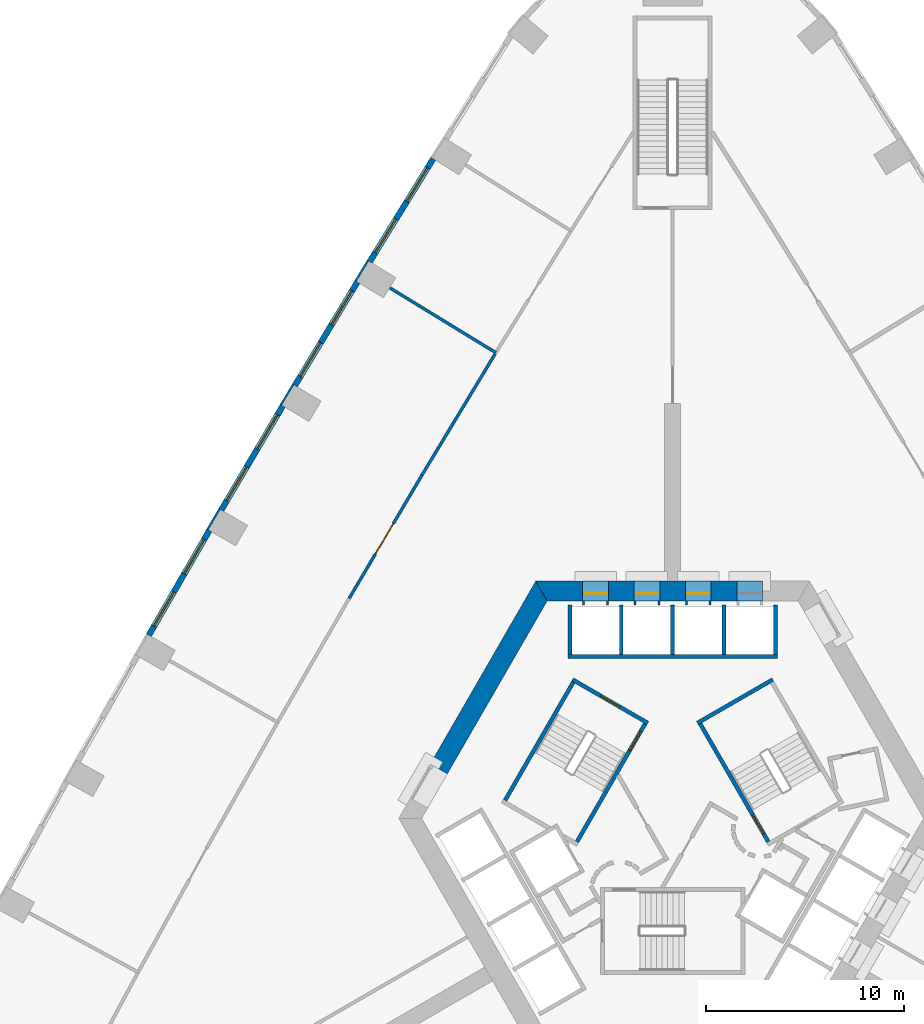
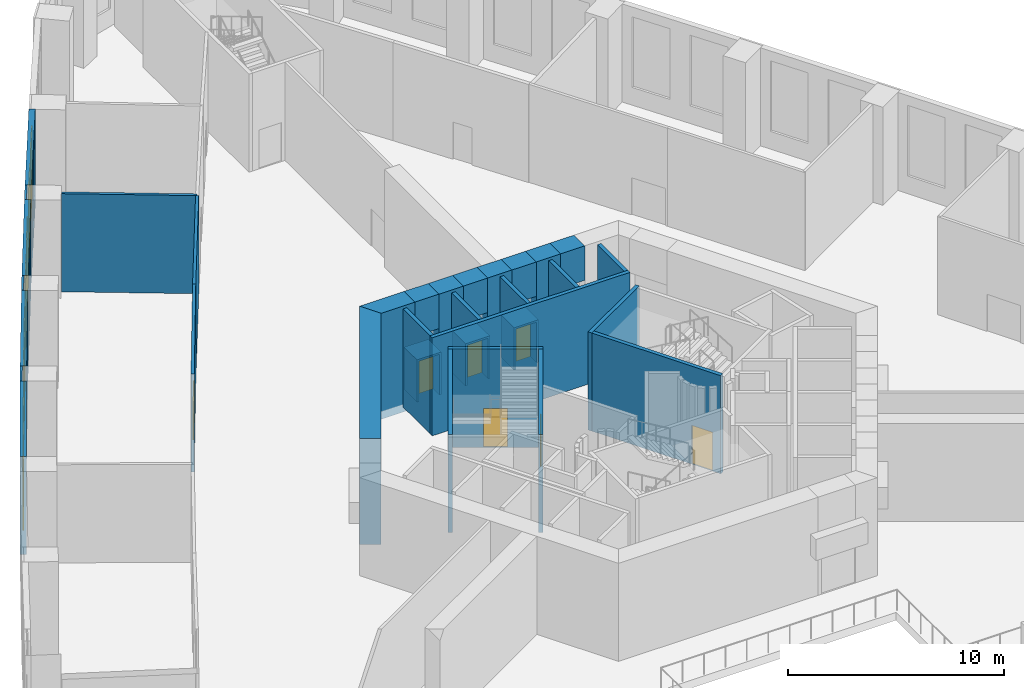
# One storey, part 5 of 15: 33 walls, 8 windows, 7 doors, 15 openings.
"""IFC4 building model written with IfcOpenShell, lengths in metres."""

from ifc_helpers import new_model, si_unit, direction, frame, frame_2d, origin, place, context, subcontext, project, spatial, polyline, rectangle, outline, extrude, material, layer, layer_set, type_object, element, fill, save


model = new_model("IFC4")

# Units and contexts
model_context = context("Model", 3, precision=1e-05, world=origin(), true_north=direction((0.0, 1.0)))
body_context = subcontext(model_context, "Body", "Model", "MODEL_VIEW")
ifc_project = project(units=[si_unit("LENGTHUNIT", "METRE"), si_unit("AREAUNIT", "SQUARE_METRE"), si_unit("VOLUMEUNIT", "CUBIC_METRE"), si_unit("PLANEANGLEUNIT", "RADIAN"), si_unit("MASSUNIT", "GRAM", prefix="KILO")], contexts=[model_context])

# Site, building, storey
site_placement = place(None, origin())
site = spatial("IfcSite", under=ifc_project, at=site_placement, CompositionType="ELEMENT")
building_placement = place(site_placement, origin())
building = spatial("IfcBuilding", under=site, at=building_placement, Name="Entoto Arch Interchange Tower", CompositionType="ELEMENT")
storey_placement = place(building_placement, frame((0.0, 0.0, 9.0)))
storey = spatial("IfcBuildingStorey", under=building, at=storey_placement, Name="L01", CompositionType="ELEMENT", Elevation=9.0)

# Walls
ifc_material_1 = material(Name="Concrete C60/75", Category="concrete")
ifc_layer_1 = layer(ifc_material_1, 1.0)
ifc_layer_set_1 = layer_set([ifc_layer_1], Name="Concrete C60/75")
wall_type_1 = type_object("IfcWallType", Name="Core wall 1000 C60/75", PredefinedType="SHEAR", material=ifc_layer_set_1)
wall_1_placement = place(storey_placement, frame((0.0, 0.0, -0.449951171875)))
element("IfcWall", 1, at=wall_1_placement, inside=storey, type_object=wall_type_1, Name="Core wall N L01", PredefinedType="SHEAR", context=body_context, shape_type="SweptSolid", body=[
    extrude(outline(polyline([(1.949951171875, 14.5), (1.949951171875, 13.5), (3.25, 13.5), (3.25, 14.5), (1.949951171875, 14.5)])), origin(), (0.0, 0.0, 1.0), 6.0),
])
wall_2_placement = place(storey_placement, frame((0.0, 0.0, -0.449951171875)))
element("IfcWall", 2, at=wall_2_placement, inside=storey, type_object=wall_type_1, Name="Core wall N L01", PredefinedType="SHEAR", context=body_context, shape_type="SweptSolid", body=[
    extrude(outline(polyline([(-0.64990234375, 14.5), (-0.64990234375, 13.5), (0.64990234375, 13.5), (0.64990234375, 14.5), (-0.64990234375, 14.5)])), origin(), (0.0, 0.0, 1.0), 6.0),
])
wall_3_placement = place(storey_placement, frame((0.0, 0.0, -0.449951171875)))
element("IfcWall", 3, at=wall_3_placement, inside=storey, type_object=wall_type_1, Name="Core wall N L01", PredefinedType="SHEAR", context=body_context, shape_type="SweptSolid", body=[
    extrude(outline(polyline([(-3.25, 14.5), (-3.25, 13.5), (-1.949951171875, 13.5), (-1.949951171875, 14.5), (-3.25, 14.5)])), origin(), (0.0, 0.0, 1.0), 6.0),
])
wall_4_placement = place(storey_placement, frame((0.0, 0.0, -0.449951171875)))
element("IfcWall", 4, at=wall_4_placement, inside=storey, type_object=wall_type_1, Name="Core wall N L01", PredefinedType="SHEAR", context=body_context, shape_type="SweptSolid", body=[
    extrude(outline(polyline([(-4.550048828125, 13.5), (-4.550048828125, 14.5), (-6.927978515625, 14.5), (-6.35107421875, 13.5), (-4.550048828125, 13.5)])), origin(), (0.0, 0.0, 1.0), 6.0),
])
wall_5_placement = place(storey_placement, frame((0.0, 0.0, 3.60009765625)))
element("IfcWall", 5, at=wall_5_placement, inside=storey, type_object=wall_type_1, Name="Core wall lintel N L01", PredefinedType="SHEAR", context=body_context, shape_type="SweptSolid", body=[
    extrude(outline(polyline([(3.25, 14.5), (3.25, 13.5), (4.550048828125, 13.5), (4.550048828125, 14.5), (3.25, 14.5)])), origin(), (0.0, 0.0, 1.0), 1.949951171875),
])
wall_6_placement = place(storey_placement, frame((0.0, 0.0, 3.60009765625)))
element("IfcWall", 6, at=wall_6_placement, inside=storey, type_object=wall_type_1, Name="Core wall lintel N L01", PredefinedType="SHEAR", context=body_context, shape_type="SweptSolid", body=[
    extrude(outline(polyline([(0.64990234375, 14.5), (0.64990234375, 13.5), (1.949951171875, 13.5), (1.949951171875, 14.5), (0.64990234375, 14.5)])), origin(), (0.0, 0.0, 1.0), 1.949951171875),
])
wall_7_placement = place(storey_placement, frame((0.0, 0.0, 3.60009765625)))
element("IfcWall", 7, at=wall_7_placement, inside=storey, type_object=wall_type_1, Name="Core wall lintel N L01", PredefinedType="SHEAR", context=body_context, shape_type="SweptSolid", body=[
    extrude(outline(polyline([(-1.949951171875, 14.5), (-1.949951171875, 13.5), (-0.64990234375, 13.5), (-0.64990234375, 14.5), (-1.949951171875, 14.5)])), origin(), (0.0, 0.0, 1.0), 1.949951171875),
])
wall_8_placement = place(storey_placement, frame((0.0, 0.0, 3.60009765625)))
element("IfcWall", 8, at=wall_8_placement, inside=storey, type_object=wall_type_1, Name="Core wall lintel N L01", PredefinedType="SHEAR", context=body_context, shape_type="SweptSolid", body=[
    extrude(outline(polyline([(-4.550048828125, 14.5), (-4.550048828125, 13.5), (-3.25, 13.5), (-3.25, 14.5), (-4.550048828125, 14.5)])), origin(), (0.0, 0.0, 1.0), 1.949951171875),
])
wall_9_placement = place(storey_placement, frame((0.0, 0.0, -0.449951171875)))
element("IfcWall", 9, at=wall_9_placement, inside=storey, type_object=wall_type_1, Name="Core wall NW L01", PredefinedType="SHEAR", context=body_context, shape_type="SweptSolid", body=[
    extrude(outline(polyline([(-12.26708984375, 5.251953125), (-11.402099609375, 4.751953125), (-6.35107421875, 13.5), (-6.927978515625, 14.5), (-12.26708984375, 5.251953125)])), origin(), (0.0, 0.0, 1.0), 6.0),
])

# Wall, opening, door
ifc_material_2 = material(Name="Concrete C40/50", Category="concrete")
ifc_layer_2 = layer(ifc_material_2, 1.199951171875)
ifc_layer_set_2 = layer_set([ifc_layer_2], Name="Concrete C40/50")
wall_type_2 = type_object("IfcWallType", Name="LIFT LANDING INFILL WALL", PredefinedType="STANDARD", material=ifc_layer_set_2)
wall_10_placement = place(storey_placement, frame((1.949951171875, 13.89990234375, 0.0), z_axis=(0.0, 0.0, 1.0), x_axis=(-1.0, 0.0, 0.0)))
wall_10 = element("IfcWall", 10, at=wall_10_placement, inside=storey, type_object=wall_type_2, Name="Lift landing infill wall LR2 L01", PredefinedType="STANDARD", context=body_context, shape_type="SweptSolid", body=[
    extrude(rectangle(XDim=1.300048828125, YDim=1.199951171875, at=frame_2d((0.64990234375, 0.0))), origin(), (0.0, 0.0, 1.0), 2.39990234375),
])
opening_1_placement = place(wall_10_placement, frame((0.10009765625, 0.0, 0.0)))
opening_1 = element("IfcOpeningElement", 11, at=opening_1_placement, cuts=wall_10, Name="Opening LD-LR2-L01", PredefinedType="OPENING", context=body_context, shape_type="SweptSolid", body=[
    extrude(rectangle(XDim=1.10009765625, YDim=2.300048828125, at=frame_2d((0.550048828125, 1.14990234375))), frame((0.0, 0.60986328125, 0.0), z_axis=(0.0, -1.0, 0.0), x_axis=(1.0, 0.0, 0.0)), (0.0, 0.0, 1.0), 1.219970703125),
])
ifc_material_3 = material(Name="Stainless steel 1.4301 panels", Category="steel")
door_type_1 = type_object("IfcDoorType", Name="LIFT LANDING DOOR LD2 1100x2300", OperationType="SLIDING_TO_LEFT", PredefinedType="DOOR", material=ifc_material_3)
door_1_placement = place(opening_1_placement, origin())
door_1 = element("IfcDoor", 12, at=door_1_placement, inside=storey, type_object=door_type_1, Name="Lift landing door LR2 L01", OperationType="SLIDING_TO_LEFT", OverallHeight=2.300048828125, OverallWidth=1.10009765625, PredefinedType="DOOR", context=body_context, shape_type="SweptSolid", body=[
    extrude(rectangle(XDim=1.10009765625, YDim=2.300048828125, at=frame_2d((0.550048828125, 1.14990234375))), frame((0.0, 0.02490234375, 0.0), z_axis=(0.0, -1.0, 0.0), x_axis=(1.0, 0.0, 0.0)), (0.0, 0.0, 1.0), 0.050048828125),
])
fill(opening_1, door_1)

wall_11_placement = place(storey_placement, frame((-0.64990234375, 13.89990234375, 0.0), z_axis=(0.0, 0.0, 1.0), x_axis=(-1.0, 0.0, 0.0)))
wall_11 = element("IfcWall", 13, at=wall_11_placement, inside=storey, type_object=wall_type_2, Name="Lift landing infill wall LR3 L01", PredefinedType="STANDARD", context=body_context, shape_type="SweptSolid", body=[
    extrude(rectangle(XDim=1.300048828125, YDim=1.199951171875, at=frame_2d((0.64990234375, 0.0))), origin(), (0.0, 0.0, 1.0), 2.39990234375),
])
opening_2_placement = place(wall_11_placement, frame((0.10009765625, 0.0, 0.0)))
opening_2 = element("IfcOpeningElement", 14, at=opening_2_placement, cuts=wall_11, Name="Opening LD-LR3-L01", PredefinedType="OPENING", context=body_context, shape_type="SweptSolid", body=[
    extrude(rectangle(XDim=1.10009765625, YDim=2.300048828125, at=frame_2d((0.550048828125, 1.14990234375))), frame((0.0, 0.60986328125, 0.0), z_axis=(0.0, -1.0, 0.0), x_axis=(1.0, 0.0, 0.0)), (0.0, 0.0, 1.0), 1.219970703125),
])
door_2_placement = place(opening_2_placement, origin())
door_2 = element("IfcDoor", 15, at=door_2_placement, inside=storey, type_object=door_type_1, Name="Lift landing door LR3 L01", OperationType="SLIDING_TO_LEFT", OverallHeight=2.300048828125, OverallWidth=1.10009765625, PredefinedType="DOOR", context=body_context, shape_type="SweptSolid", body=[
    extrude(rectangle(XDim=1.10009765625, YDim=2.300048828125, at=frame_2d((0.550048828125, 1.14990234375))), frame((0.0, 0.02490234375, 0.0), z_axis=(0.0, -1.0, 0.0), x_axis=(1.0, 0.0, 0.0)), (0.0, 0.0, 1.0), 0.050048828125),
])
fill(opening_2, door_2)

wall_12_placement = place(storey_placement, frame((-3.25, 13.89990234375, 0.0), z_axis=(0.0, 0.0, 1.0), x_axis=(-1.0, 0.0, 0.0)))
wall_12 = element("IfcWall", 16, at=wall_12_placement, inside=storey, type_object=wall_type_2, Name="Lift landing infill wall LR4 L01", PredefinedType="STANDARD", context=body_context, shape_type="SweptSolid", body=[
    extrude(rectangle(XDim=1.300048828125, YDim=1.199951171875, at=frame_2d((0.64990234375, 0.0))), origin(), (0.0, 0.0, 1.0), 2.39990234375),
])
opening_3_placement = place(wall_12_placement, frame((0.10009765625, 0.0, 0.0)))
opening_3 = element("IfcOpeningElement", 17, at=opening_3_placement, cuts=wall_12, Name="Opening LD-LR4-L01", PredefinedType="OPENING", context=body_context, shape_type="SweptSolid", body=[
    extrude(rectangle(XDim=1.10009765625, YDim=2.300048828125, at=frame_2d((0.550048828125, 1.14990234375))), frame((0.0, 0.60986328125, 0.0), z_axis=(0.0, -1.0, 0.0), x_axis=(1.0, 0.0, 0.0)), (0.0, 0.0, 1.0), 1.219970703125),
])
door_3_placement = place(opening_3_placement, origin())
door_3 = element("IfcDoor", 18, at=door_3_placement, inside=storey, type_object=door_type_1, Name="Lift landing door LR4 L01", OperationType="SLIDING_TO_LEFT", OverallHeight=2.300048828125, OverallWidth=1.10009765625, PredefinedType="DOOR", context=body_context, shape_type="SweptSolid", body=[
    extrude(rectangle(XDim=1.10009765625, YDim=2.300048828125, at=frame_2d((0.550048828125, 1.14990234375))), frame((0.0, 0.02490234375, 0.0), z_axis=(0.0, -1.0, 0.0), x_axis=(1.0, 0.0, 0.0)), (0.0, 0.0, 1.0), 0.050048828125),
])
fill(opening_3, door_3)

# Walls
ifc_layer_3 = layer(ifc_material_2, 0.199951171875)
ifc_layer_set_3 = layer_set([ifc_layer_3], Name="Concrete C40/50")
wall_type_3 = type_object("IfcWallType", Name="LIFT SHAFT WALL 200", PredefinedType="STANDARD", material=ifc_layer_set_3)
wall_13_placement = place(storey_placement, frame((5.300048828125, 10.699951171875, 0.0), z_axis=(0.0, 0.0, 1.0), x_axis=(-1.0, 0.0, 0.0)))
element("IfcWall", 19, at=wall_13_placement, inside=storey, type_object=wall_type_3, Name="Shaft wall N3 front", PredefinedType="STANDARD", context=body_context, shape_type="SweptSolid", body=[
    extrude(rectangle(XDim=10.60009765625, YDim=0.199951171875, at=frame_2d((5.300048828125, 0.0))), origin(), (0.0, 0.0, 1.0), 5.550048828125),
])
for number, where, z_axis, x_axis, name in (
    (20, (5.199951171875, 10.800048828125, 0.0), (0.0, 0.0, 1.0), (0.0, 1.0, 0.0), "Shaft wall N3 cross 1"),
    (21, (2.60009765625, 10.800048828125, 0.0), (0.0, 0.0, 1.0), (0.0, 1.0, 0.0), "Shaft wall N3 cross 2"),
    (22, (0.0, 10.800048828125, 0.0), (0.0, 0.0, 1.0), (0.0, 1.0, 0.0), "Shaft wall N3 cross 3"),
    (23, (-2.60009765625, 10.800048828125, 0.0), (0.0, 0.0, 1.0), (0.0, 1.0, 0.0), "Shaft wall N3 cross 4"),
    (24, (-5.199951171875, 10.800048828125, 0.0), (0.0, 0.0, 1.0), (0.0, 1.0, 0.0), "Shaft wall N3 cross 5"),
):
    element("IfcWall", number, at=place(storey_placement, frame(where, z_axis=z_axis, x_axis=x_axis)), inside=storey, type_object=wall_type_3, Name=name, PredefinedType="STANDARD", context=body_context, shape_type="SweptSolid", body=[
        extrude(rectangle(XDim=2.5, YDim=0.199951171875, at=frame_2d((1.25, 0.0))), origin(), (0.0, 0.0, 1.0), 5.550048828125),
    ])
ifc_material_4 = material(Name="Gypsum board partition on steel studs", Category="steel")
ifc_layer_4 = layer(ifc_material_4, 0.14990234375)
ifc_layer_set_4 = layer_set([ifc_layer_4], Name="Gypsum board partition on steel studs")
wall_type_4 = type_object("IfcWallType", Name="PARTITION 150", PredefinedType="PARTITIONING", material=ifc_layer_set_4)
wall_14_placement = place(storey_placement, frame((-8.947021484375, 26.06494140625, 0.0), z_axis=(0.0, 0.0, 1.0), x_axis=(-0.853151116909, 0.521663849348, 0.0)))
element("IfcWall", 25, at=wall_14_placement, inside=storey, type_object=wall_type_4, Name="wall:L01:p055", PredefinedType="PARTITIONING", context=body_context, shape_type="SweptSolid", body=[
    extrude(rectangle(XDim=6.280029296875, YDim=0.14990234375, at=frame_2d((3.14013671875, 0.0))), origin(), (0.0, 0.0, 1.0), 5.550048828125),
])
wall_15_placement = place(storey_placement, frame((-8.98095703125, 26.008056640625, 0.0), z_axis=(0.0, 0.0, 1.0), x_axis=(-0.516682614934, -0.856177011736, 0.0)))
element("IfcWall", 26, at=wall_15_placement, inside=storey, type_object=wall_type_4, Name="wall:L01:p058", PredefinedType="PARTITIONING", context=body_context, shape_type="SweptSolid", body=[
    extrude(rectangle(XDim=7.1689453125, YDim=0.14990234375, at=frame_2d((3.58447265625, 0.0))), origin(), (0.0, 0.0, 1.0), 5.550048828125),
])

# Wall, opening, door
wall_16_placement = place(storey_placement, frame((-12.68505859375, 19.8701171875, 0.0), z_axis=(0.0, 0.0, 1.0), x_axis=(-0.508337575782, -0.861157888571, 0.0)))
wall_16 = element("IfcWall", 27, at=wall_16_placement, inside=storey, type_object=wall_type_4, Name="wall:L01:p059", PredefinedType="PARTITIONING", context=body_context, shape_type="SweptSolid", body=[
    extrude(rectangle(XDim=7.244873046875, YDim=0.14990234375, at=frame_2d((3.62255859375, 0.0))), origin(), (0.0, 0.0, 1.0), 5.550048828125),
])
opening_4_placement = place(wall_16_placement, frame((2.844970703125, 0.0, 0.0)))
opening_4 = element("IfcOpeningElement", 28, at=opening_4_placement, cuts=wall_16, Name="Opening L01-D12", PredefinedType="OPENING", context=body_context, shape_type="SweptSolid", body=[
    extrude(rectangle(XDim=1.800048828125, YDim=2.10009765625, at=frame_2d((0.89990234375, 1.050048828125))), frame((0.0, 0.0849609375, 0.0), z_axis=(0.0, -1.0, 0.0), x_axis=(1.0, 0.0, 0.0)), (0.0, 0.0, 1.0), 0.169921875),
])
ifc_material_5 = material(Name="Timber door leaf in Steel S235 frame", Category="steel")
door_type_2 = type_object("IfcDoorType", Name="DOOR DD-18 1800x2100", OperationType="DOUBLE_DOOR_SINGLE_SWING", PredefinedType="DOOR", material=ifc_material_5)
door_4_placement = place(opening_4_placement, origin())
door_4 = element("IfcDoor", 29, at=door_4_placement, inside=storey, type_object=door_type_2, Name="door:L01:12", OperationType="DOUBLE_DOOR_SINGLE_SWING", OverallHeight=2.10009765625, OverallWidth=1.800048828125, PredefinedType="DOOR", context=body_context, shape_type="SweptSolid", body=[
    extrude(rectangle(XDim=1.800048828125, YDim=2.10009765625, at=frame_2d((0.89990234375, 1.050048828125))), frame((0.0, 0.02490234375, 0.0), z_axis=(0.0, -1.0, 0.0), x_axis=(1.0, 0.0, 0.0)), (0.0, 0.0, 1.0), 0.050048828125),
])
fill(opening_4, door_4)

# Wall
ifc_layer_5 = layer(ifc_material_2, 0.199951171875)
ifc_layer_set_5 = layer_set([ifc_layer_5], Name="Concrete C40/50")
wall_type_5 = type_object("IfcWallType", Name="STAIR ENCLOSURE WALL 200", PredefinedType="STANDARD", material=ifc_layer_set_5)
wall_17_placement = place(storey_placement, frame((1.256103515625, 7.323974609375, 0.0), z_axis=(0.0, 0.0, 1.0), x_axis=(0.866046073146, 0.499964197906, 0.0)))
element("IfcWall", 30, at=wall_17_placement, inside=storey, type_object=wall_type_5, Name="Stair wall ST-NE far", PredefinedType="STANDARD", context=body_context, shape_type="SweptSolid", body=[
    extrude(rectangle(XDim=4.400146484375, YDim=0.199951171875, at=frame_2d((2.2001953125, 0.0))), origin(), (0.0, 0.0, 1.0), 5.550048828125),
])

# Wall, opening, door
wall_18_placement = place(storey_placement, frame((4.843017578125, 1.31201171875, 0.0), z_axis=(0.0, 0.0, 1.0), x_axis=(-0.499963383562, 0.866046543262, 0.0)))
wall_18 = element("IfcWall", 31, at=wall_18_placement, inside=storey, type_object=wall_type_5, Name="Stair wall ST-NE hall", PredefinedType="STANDARD", context=body_context, shape_type="SweptSolid", body=[
    extrude(rectangle(XDim=6.900390625, YDim=0.199951171875, at=frame_2d((3.4501953125, 0.0))), origin(), (0.0, 0.0, 1.0), 5.550048828125),
])
opening_5_placement = place(wall_18_placement, frame((0.449951171875, 0.0, 0.0)))
opening_5 = element("IfcOpeningElement", 32, at=opening_5_placement, cuts=wall_18, Name="Opening SD-ST-NE-L01", PredefinedType="OPENING", context=body_context, shape_type="SweptSolid", body=[
    extrude(rectangle(XDim=1.10009765625, YDim=2.199951171875, at=frame_2d((0.550048828125, 1.10009765625))), frame((0.0, 0.10986328125, 0.0), z_axis=(0.0, -1.0, 0.0), x_axis=(1.0, 0.0, 0.0)), (0.0, 0.0, 1.0), 0.219970703125),
])
ifc_material_6 = material(Name="Steel S235", Category="steel")
door_type_3 = type_object("IfcDoorType", Name="STAIR DOOR SD1 1100x2200", OperationType="SINGLE_SWING_LEFT", PredefinedType="DOOR", material=ifc_material_6)
door_5_placement = place(opening_5_placement, origin())
door_5 = element("IfcDoor", 33, at=door_5_placement, inside=storey, type_object=door_type_3, Name="Stair door ST-NE L01", OperationType="SINGLE_SWING_LEFT", OverallHeight=2.199951171875, OverallWidth=1.10009765625, PredefinedType="DOOR", context=body_context, shape_type="SweptSolid", body=[
    extrude(rectangle(XDim=1.10009765625, YDim=2.199951171875, at=frame_2d((0.550048828125, 1.10009765625))), frame((0.0, 0.02490234375, 0.0), z_axis=(0.0, -1.0, 0.0), x_axis=(1.0, 0.0, 0.0)), (0.0, 0.0, 1.0), 0.050048828125),
])
fill(opening_5, door_5)

wall_19_placement = place(storey_placement, frame((-1.256103515625, 7.323974609375, 0.0), z_axis=(0.0, 0.0, 1.0), x_axis=(-0.866046073146, 0.499964197906, 0.0)))
wall_19 = element("IfcWall", 34, at=wall_19_placement, inside=storey, type_object=wall_type_5, Name="Stair wall ST-NW near", PredefinedType="STANDARD", context=body_context, shape_type="SweptSolid", body=[
    extrude(rectangle(XDim=4.400146484375, YDim=0.199951171875, at=frame_2d((2.2001953125, 0.0))), origin(), (0.0, 0.0, 1.0), 5.550048828125),
])
opening_6_placement = place(wall_19_placement, frame((1.64990234375, 0.0, 0.0)))
opening_6 = element("IfcOpeningElement", 35, at=opening_6_placement, cuts=wall_19, Name="Opening SD-ST-NW-L01-E", PredefinedType="OPENING", context=body_context, shape_type="SweptSolid", body=[
    extrude(rectangle(XDim=1.10009765625, YDim=2.199951171875, at=frame_2d((0.550048828125, 1.10009765625))), frame((0.0, 0.10986328125, 0.0), z_axis=(0.0, -1.0, 0.0), x_axis=(1.0, 0.0, 0.0)), (0.0, 0.0, 1.0), 0.219970703125),
])
door_6_placement = place(opening_6_placement, origin())
door_6 = element("IfcDoor", 36, at=door_6_placement, inside=storey, type_object=door_type_3, Name="Stair door ST-NW L01 end", OperationType="SINGLE_SWING_LEFT", OverallHeight=2.199951171875, OverallWidth=1.10009765625, PredefinedType="DOOR", context=body_context, shape_type="SweptSolid", body=[
    extrude(rectangle(XDim=1.10009765625, YDim=2.199951171875, at=frame_2d((0.550048828125, 1.10009765625))), frame((0.0, 0.02490234375, 0.0), z_axis=(0.0, -1.0, 0.0), x_axis=(1.0, 0.0, 0.0)), (0.0, 0.0, 1.0), 0.050048828125),
])
fill(opening_6, door_6)

wall_20_placement = place(storey_placement, frame((-1.39306640625, 7.2880859375, 0.0), z_axis=(0.0, 0.0, 1.0), x_axis=(-0.499963383562, -0.866046543262, 0.0)))
wall_20 = element("IfcWall", 37, at=wall_20_placement, inside=storey, type_object=wall_type_5, Name="Stair wall ST-NW hall", PredefinedType="STANDARD", context=body_context, shape_type="SweptSolid", body=[
    extrude(rectangle(XDim=6.900390625, YDim=0.199951171875, at=frame_2d((3.4501953125, 0.0))), origin(), (0.0, 0.0, 1.0), 5.550048828125),
])
opening_7_placement = place(wall_20_placement, frame((0.449951171875, 0.0, 0.0)))
opening_7 = element("IfcOpeningElement", 38, at=opening_7_placement, cuts=wall_20, Name="Opening SD-ST-NW-L01", PredefinedType="OPENING", context=body_context, shape_type="SweptSolid", body=[
    extrude(rectangle(XDim=1.10009765625, YDim=2.199951171875, at=frame_2d((0.550048828125, 1.10009765625))), frame((0.0, 0.10986328125, 0.0), z_axis=(0.0, -1.0, 0.0), x_axis=(1.0, 0.0, 0.0)), (0.0, 0.0, 1.0), 0.219970703125),
])
door_7_placement = place(opening_7_placement, origin())
door_7 = element("IfcDoor", 39, at=door_7_placement, inside=storey, type_object=door_type_3, Name="Stair door ST-NW L01", OperationType="SINGLE_SWING_LEFT", OverallHeight=2.199951171875, OverallWidth=1.10009765625, PredefinedType="DOOR", context=body_context, shape_type="SweptSolid", body=[
    extrude(rectangle(XDim=1.10009765625, YDim=2.199951171875, at=frame_2d((0.550048828125, 1.10009765625))), frame((0.0, 0.02490234375, 0.0), z_axis=(0.0, -1.0, 0.0), x_axis=(1.0, 0.0, 0.0)), (0.0, 0.0, 1.0), 0.050048828125),
])
fill(opening_7, door_7)

# Wall
wall_21_placement = place(storey_placement, frame((-5.030029296875, 9.387939453125, 0.0), z_axis=(0.0, 0.0, 1.0), x_axis=(-0.499978703459, -0.866037698999, 0.0)))
element("IfcWall", 40, at=wall_21_placement, inside=storey, type_object=wall_type_5, Name="Stair wall ST-NW back", PredefinedType="STANDARD", context=body_context, shape_type="SweptSolid", body=[
    extrude(rectangle(XDim=6.900146484375, YDim=0.199951171875, at=frame_2d((3.4501953125, 0.0))), origin(), (0.0, 0.0, 1.0), 5.550048828125),
])

# Wall, openings, windows
ifc_material_7 = material(Name="Welded tuff (ignimbrite) cladding, warm buff", Category="masonry")
ifc_layer_6 = layer(ifc_material_7, 0.300048828125)
ifc_layer_set_6 = layer_set([ifc_layer_6], Name="Welded tuff (ignimbrite) cladding, warm buff")
wall_type_6 = type_object("IfcWallType", Name="STONE INFILL WALL 300", PredefinedType="STANDARD", material=ifc_layer_set_6)
wall_22_placement = place(storey_placement, frame((-12.116943359375, 35.881103515625, 0.0), z_axis=(0.0, 0.0, 1.0), x_axis=(-0.524953701886, -0.85113078365, 0.0)))
wall_22 = element("IfcWall", 41, at=wall_22_placement, inside=storey, type_object=wall_type_6, Name="Facade wall NW-02 L01", PredefinedType="STANDARD", context=body_context, shape_type="SweptSolid", body=[
    extrude(rectangle(XDim=6.12255859375, YDim=0.300048828125, at=frame_2d((3.061279296875, 0.0))), origin(), (0.0, 0.0, 1.0), 5.550048828125),
])
opening_8_placement = place(wall_22_placement, frame((0.531005859375, 0.0, 1.0)))
opening_8 = element("IfcOpeningElement", 42, at=opening_8_placement, cuts=wall_22, Name="Opening WP-F", PredefinedType="OPENING", context=body_context, shape_type="SweptSolid", body=[
    extrude(rectangle(XDim=2.0, YDim=4.0, at=frame_2d((1.0, 2.0))), frame((0.0, 0.16015625, 0.0), z_axis=(0.0, -1.0, 0.0), x_axis=(1.0, 0.0, 0.0)), (0.0, 0.0, 1.0), 0.320068359375),
])
opening_9_placement = place(wall_22_placement, frame((3.592041015625, 0.0, 1.0)))
opening_9 = element("IfcOpeningElement", 43, at=opening_9_placement, cuts=wall_22, Name="Opening WP-F", PredefinedType="OPENING", context=body_context, shape_type="SweptSolid", body=[
    extrude(rectangle(XDim=2.0, YDim=4.0, at=frame_2d((1.0, 2.0))), frame((0.0, 0.16015625, 0.0), z_axis=(0.0, -1.0, 0.0), x_axis=(1.0, 0.0, 0.0)), (0.0, 0.0, 1.0), 0.320068359375),
])
ifc_material_8 = material(Name="Clear glass, low-e double glazed", Category="glass")
window_type = type_object("IfcWindowType", Name="WINDOW WP-F 2000x4000", PartitioningType="DOUBLE_PANEL_VERTICAL", PredefinedType="WINDOW", material=ifc_material_8)
window_1_placement = place(opening_8_placement, origin())
window_1 = element("IfcWindow", 44, at=window_1_placement, inside=storey, type_object=window_type, Name="Window WP-F NW-02 L01", OverallHeight=4.0, OverallWidth=2.0, PartitioningType="SINGLE_PANEL", PredefinedType="WINDOW", context=body_context, shape_type="SweptSolid", body=[
    extrude(rectangle(XDim=2.0, YDim=4.0, at=frame_2d((1.0, 2.0))), frame((0.0, 0.030029296875, 0.0), z_axis=(0.0, -1.0, 0.0), x_axis=(1.0, 0.0, 0.0)), (0.0, 0.0, 1.0), 0.06005859375),
])
fill(opening_8, window_1)
window_2_placement = place(opening_9_placement, origin())
window_2 = element("IfcWindow", 45, at=window_2_placement, inside=storey, type_object=window_type, Name="Window WP-F NW-02 L01", OverallHeight=4.0, OverallWidth=2.0, PartitioningType="SINGLE_PANEL", PredefinedType="WINDOW", context=body_context, shape_type="SweptSolid", body=[
    extrude(rectangle(XDim=2.0, YDim=4.0, at=frame_2d((1.0, 2.0))), frame((0.0, 0.030029296875, 0.0), z_axis=(0.0, -1.0, 0.0), x_axis=(1.0, 0.0, 0.0)), (0.0, 0.0, 1.0), 0.06005859375),
])
fill(opening_9, window_2)

wall_23_placement = place(storey_placement, frame((-15.9541015625, 29.64697265625, 0.0), z_axis=(0.0, 0.0, 1.0), x_axis=(-0.516687651362, -0.85617397235, 0.0)))
wall_23 = element("IfcWall", 46, at=wall_23_placement, inside=storey, type_object=wall_type_6, Name="Facade wall NW-03 L01", PredefinedType="STANDARD", context=body_context, shape_type="SweptSolid", body=[
    extrude(rectangle(XDim=6.121337890625, YDim=0.300048828125, at=frame_2d((3.060546875, 0.0))), origin(), (0.0, 0.0, 1.0), 5.550048828125),
])
opening_10_placement = place(wall_23_placement, frame((0.530029296875, 0.0, 1.0)))
opening_10 = element("IfcOpeningElement", 47, at=opening_10_placement, cuts=wall_23, Name="Opening WP-F", PredefinedType="OPENING", context=body_context, shape_type="SweptSolid", body=[
    extrude(rectangle(XDim=2.0, YDim=4.0, at=frame_2d((1.0, 2.0))), frame((0.0, 0.16015625, 0.0), z_axis=(0.0, -1.0, 0.0), x_axis=(1.0, 0.0, 0.0)), (0.0, 0.0, 1.0), 0.320068359375),
])
opening_11_placement = place(wall_23_placement, frame((3.591064453125, 0.0, 1.0)))
opening_11 = element("IfcOpeningElement", 48, at=opening_11_placement, cuts=wall_23, Name="Opening WP-F", PredefinedType="OPENING", context=body_context, shape_type="SweptSolid", body=[
    extrude(rectangle(XDim=2.0, YDim=4.0, at=frame_2d((1.0, 2.0))), frame((0.0, 0.16015625, 0.0), z_axis=(0.0, -1.0, 0.0), x_axis=(1.0, 0.0, 0.0)), (0.0, 0.0, 1.0), 0.320068359375),
])
window_3_placement = place(opening_10_placement, origin())
window_3 = element("IfcWindow", 49, at=window_3_placement, inside=storey, type_object=window_type, Name="Window WP-F NW-03 L01", OverallHeight=4.0, OverallWidth=2.0, PartitioningType="SINGLE_PANEL", PredefinedType="WINDOW", context=body_context, shape_type="SweptSolid", body=[
    extrude(rectangle(XDim=2.0, YDim=4.0, at=frame_2d((1.0, 2.0))), frame((0.0, 0.030029296875, 0.0), z_axis=(0.0, -1.0, 0.0), x_axis=(1.0, 0.0, 0.0)), (0.0, 0.0, 1.0), 0.06005859375),
])
fill(opening_10, window_3)
window_4_placement = place(opening_11_placement, origin())
window_4 = element("IfcWindow", 50, at=window_4_placement, inside=storey, type_object=window_type, Name="Window WP-F NW-03 L01", OverallHeight=4.0, OverallWidth=2.0, PartitioningType="SINGLE_PANEL", PredefinedType="WINDOW", context=body_context, shape_type="SweptSolid", body=[
    extrude(rectangle(XDim=2.0, YDim=4.0, at=frame_2d((1.0, 2.0))), frame((0.0, 0.030029296875, 0.0), z_axis=(0.0, -1.0, 0.0), x_axis=(1.0, 0.0, 0.0)), (0.0, 0.0, 1.0), 0.06005859375),
])
fill(opening_11, window_4)

wall_24_placement = place(storey_placement, frame((-19.73095703125, 23.376953125, 0.0), z_axis=(0.0, 0.0, 1.0), x_axis=(-0.50834231483, -0.861155091115, 0.0)))
wall_24 = element("IfcWall", 51, at=wall_24_placement, inside=storey, type_object=wall_type_6, Name="Facade wall NW-04 L01", PredefinedType="STANDARD", context=body_context, shape_type="SweptSolid", body=[
    extrude(rectangle(XDim=6.1220703125, YDim=0.300048828125, at=frame_2d((3.06103515625, 0.0))), origin(), (0.0, 0.0, 1.0), 5.550048828125),
])
opening_12_placement = place(wall_24_placement, frame((0.530029296875, 0.0, 1.0)))
opening_12 = element("IfcOpeningElement", 52, at=opening_12_placement, cuts=wall_24, Name="Opening WP-F", PredefinedType="OPENING", context=body_context, shape_type="SweptSolid", body=[
    extrude(rectangle(XDim=2.0, YDim=4.0, at=frame_2d((1.0, 2.0))), frame((0.0, 0.16015625, 0.0), z_axis=(0.0, -1.0, 0.0), x_axis=(1.0, 0.0, 0.0)), (0.0, 0.0, 1.0), 0.320068359375),
])
opening_13_placement = place(wall_24_placement, frame((3.591064453125, 0.0, 1.0)))
opening_13 = element("IfcOpeningElement", 53, at=opening_13_placement, cuts=wall_24, Name="Opening WP-F", PredefinedType="OPENING", context=body_context, shape_type="SweptSolid", body=[
    extrude(rectangle(XDim=2.0, YDim=4.0, at=frame_2d((1.0, 2.0))), frame((0.0, 0.16015625, 0.0), z_axis=(0.0, -1.0, 0.0), x_axis=(1.0, 0.0, 0.0)), (0.0, 0.0, 1.0), 0.320068359375),
])
window_5_placement = place(opening_12_placement, origin())
window_5 = element("IfcWindow", 54, at=window_5_placement, inside=storey, type_object=window_type, Name="Window WP-F NW-04 L01", OverallHeight=4.0, OverallWidth=2.0, PartitioningType="SINGLE_PANEL", PredefinedType="WINDOW", context=body_context, shape_type="SweptSolid", body=[
    extrude(rectangle(XDim=2.0, YDim=4.0, at=frame_2d((1.0, 2.0))), frame((0.0, 0.030029296875, 0.0), z_axis=(0.0, -1.0, 0.0), x_axis=(1.0, 0.0, 0.0)), (0.0, 0.0, 1.0), 0.06005859375),
])
fill(opening_12, window_5)
window_6_placement = place(opening_13_placement, origin())
window_6 = element("IfcWindow", 55, at=window_6_placement, inside=storey, type_object=window_type, Name="Window WP-F NW-04 L01", OverallHeight=4.0, OverallWidth=2.0, PartitioningType="SINGLE_PANEL", PredefinedType="WINDOW", context=body_context, shape_type="SweptSolid", body=[
    extrude(rectangle(XDim=2.0, YDim=4.0, at=frame_2d((1.0, 2.0))), frame((0.0, 0.030029296875, 0.0), z_axis=(0.0, -1.0, 0.0), x_axis=(1.0, 0.0, 0.0)), (0.0, 0.0, 1.0), 0.06005859375),
])
fill(opening_13, window_6)

wall_25_placement = place(storey_placement, frame((-23.447021484375, 17.071044921875, 0.0), z_axis=(0.0, 0.0, 1.0), x_axis=(-0.499939977436, -0.866060055055, 0.0)))
wall_25 = element("IfcWall", 56, at=wall_25_placement, inside=storey, type_object=wall_type_6, Name="Facade wall NW-05 L01", PredefinedType="STANDARD", context=body_context, shape_type="SweptSolid", body=[
    extrude(rectangle(XDim=6.120849609375, YDim=0.300048828125, at=frame_2d((3.060546875, 0.0))), origin(), (0.0, 0.0, 1.0), 5.550048828125),
])
opening_14_placement = place(wall_25_placement, frame((0.530029296875, 0.0, 1.0)))
opening_14 = element("IfcOpeningElement", 57, at=opening_14_placement, cuts=wall_25, Name="Opening WP-F", PredefinedType="OPENING", context=body_context, shape_type="SweptSolid", body=[
    extrude(rectangle(XDim=2.0, YDim=4.0, at=frame_2d((1.0, 2.0))), frame((0.0, 0.16015625, 0.0), z_axis=(0.0, -1.0, 0.0), x_axis=(1.0, 0.0, 0.0)), (0.0, 0.0, 1.0), 0.320068359375),
])
opening_15_placement = place(wall_25_placement, frame((3.591064453125, 0.0, 1.0)))
opening_15 = element("IfcOpeningElement", 58, at=opening_15_placement, cuts=wall_25, Name="Opening WP-F", PredefinedType="OPENING", context=body_context, shape_type="SweptSolid", body=[
    extrude(rectangle(XDim=2.0, YDim=4.0, at=frame_2d((1.0, 2.0))), frame((0.0, 0.16015625, 0.0), z_axis=(0.0, -1.0, 0.0), x_axis=(1.0, 0.0, 0.0)), (0.0, 0.0, 1.0), 0.320068359375),
])
window_7_placement = place(opening_14_placement, origin())
window_7 = element("IfcWindow", 59, at=window_7_placement, inside=storey, type_object=window_type, Name="Window WP-F NW-05 L01", OverallHeight=4.0, OverallWidth=2.0, PartitioningType="SINGLE_PANEL", PredefinedType="WINDOW", context=body_context, shape_type="SweptSolid", body=[
    extrude(rectangle(XDim=2.0, YDim=4.0, at=frame_2d((1.0, 2.0))), frame((0.0, 0.030029296875, 0.0), z_axis=(0.0, -1.0, 0.0), x_axis=(1.0, 0.0, 0.0)), (0.0, 0.0, 1.0), 0.06005859375),
])
fill(opening_14, window_7)
window_8_placement = place(opening_15_placement, origin())
window_8 = element("IfcWindow", 60, at=window_8_placement, inside=storey, type_object=window_type, Name="Window WP-F NW-05 L01", OverallHeight=4.0, OverallWidth=2.0, PartitioningType="SINGLE_PANEL", PredefinedType="WINDOW", context=body_context, shape_type="SweptSolid", body=[
    extrude(rectangle(XDim=2.0, YDim=4.0, at=frame_2d((1.0, 2.0))), frame((0.0, 0.030029296875, 0.0), z_axis=(0.0, -1.0, 0.0), x_axis=(1.0, 0.0, 0.0)), (0.0, 0.0, 1.0), 0.06005859375),
])
fill(opening_15, window_8)

# Walls
ifc_layer_7 = layer(ifc_material_7, 0.10009765625)
ifc_layer_set_7 = layer_set([ifc_layer_7], Name="Welded tuff (ignimbrite) cladding, warm buff")
wall_type_7 = type_object("IfcWallType", Name="STONE PIER CLADDING 100", PredefinedType="STANDARD", material=ifc_layer_set_7)
wall_26_placement = place(storey_placement, frame((-15.4169921875, 30.72412109375, 0.0), z_axis=(0.0, 0.0, 1.0), x_axis=(-0.521507599072, -0.853246637327, 0.0)))
element("IfcWall", 61, at=wall_26_placement, inside=storey, type_object=wall_type_7, Name="Stone pier NW03 L01", PredefinedType="STANDARD", context=body_context, shape_type="SweptSolid", body=[
    extrude(rectangle(XDim=1.200439453125, YDim=0.10009765625, at=frame_2d((0.60009765625, 0.0))), origin(), (0.0, 0.0, 1.0), 5.550048828125),
])
wall_27_placement = place(storey_placement, frame((-19.2041015625, 24.458984375, 0.0), z_axis=(0.0, 0.0, 1.0), x_axis=(-0.513238760752, -0.858245870635, 0.0)))
element("IfcWall", 62, at=wall_27_placement, inside=storey, type_object=wall_type_7, Name="Stone pier NW04 L01", PredefinedType="STANDARD", context=body_context, shape_type="SweptSolid", body=[
    extrude(rectangle(XDim=1.2001953125, YDim=0.10009765625, at=frame_2d((0.60009765625, 0.0))), origin(), (0.0, 0.0, 1.0), 5.550048828125),
])
wall_28_placement = place(storey_placement, frame((-22.930908203125, 18.157958984375, 0.0), z_axis=(0.0, 0.0, 1.0), x_axis=(-0.504313844903, -0.863520437418, 0.0)))
element("IfcWall", 63, at=wall_28_placement, inside=storey, type_object=wall_type_7, Name="Stone pier NW05 L01", PredefinedType="STANDARD", context=body_context, shape_type="SweptSolid", body=[
    extrude(rectangle(XDim=1.19970703125, YDim=0.10009765625, at=frame_2d((0.599853515625, 0.0))), origin(), (0.0, 0.0, 1.0), 5.550048828125),
])

save(model, "model.ifc")
